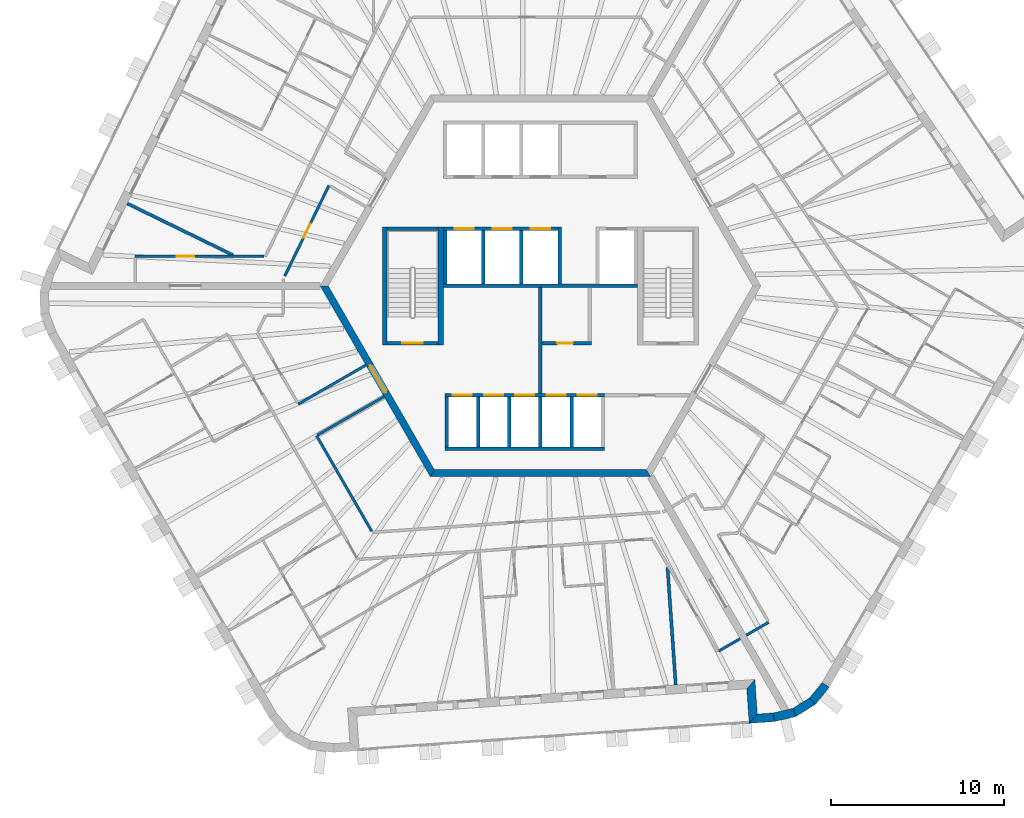
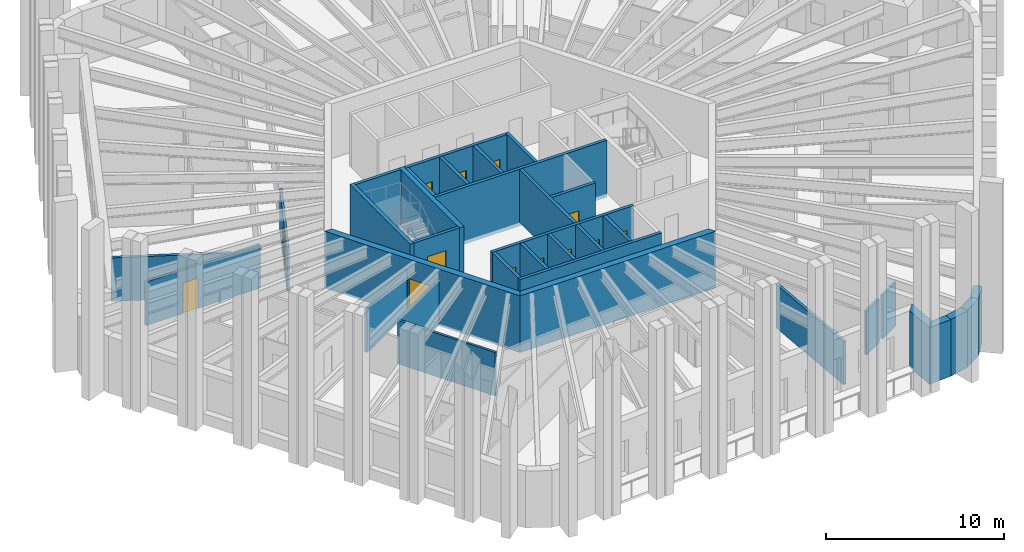
# One storey, part 5 of 13: 35 walls, 13 doors, 13 openings.
"""IFC4 building model written with IfcOpenShell, lengths in metres."""

from ifc_helpers import new_model, si_unit, direction, frame, frame_2d, origin, place, context, subcontext, project, spatial, polyline, rectangle, outline, extrude, material, layer, layer_set, type_object, element, fill, save


model = new_model("IFC4")

# Units and contexts
model_context = context("Model", 3, precision=1e-05, world=origin(), true_north=direction((0.0, 1.0)))
body_context = subcontext(model_context, "Body", "Model", "MODEL_VIEW")
ifc_project = project(units=[si_unit("LENGTHUNIT", "METRE"), si_unit("AREAUNIT", "SQUARE_METRE"), si_unit("VOLUMEUNIT", "CUBIC_METRE"), si_unit("PLANEANGLEUNIT", "RADIAN"), si_unit("MASSUNIT", "GRAM", prefix="KILO")], contexts=[model_context])

# Site, building, storey
site_placement = place(None, origin())
site = spatial("IfcSite", under=ifc_project, at=site_placement, CompositionType="ELEMENT")
building_placement = place(site_placement, origin())
building = spatial("IfcBuilding", under=site, at=building_placement, Name="Tarnside Tower", CompositionType="ELEMENT")
storey_placement = place(building_placement, frame((0.0, 0.0, 267.89990234375)))
storey = spatial("IfcBuildingStorey", under=building, at=storey_placement, Name="L64", CompositionType="ELEMENT", Elevation=267.89990234375)

# Wall, opening, door
ifc_material_1 = material(Name="Concrete C40/50", Category="concrete")
ifc_layer_1 = layer(ifc_material_1, 0.199951171875)
ifc_layer_set_1 = layer_set([ifc_layer_1], Name="Core room partition 200 C40/50")
wall_type_1 = type_object("IfcWallType", Name="Core room partition 200 C40/50", PredefinedType="PARTITIONING", material=ifc_layer_set_1)
wall_1_placement = place(storey_placement, frame((0.10009765625, -3.300048828125, 0.0), z_axis=(0.0, 0.0, 1.0), x_axis=(1.0, 0.0, 0.0)))
wall_1 = element("IfcWall", 1, at=wall_1_placement, inside=storey, type_object=wall_type_1, Name="L64 core partition R3S1", PredefinedType="PARTITIONING", context=body_context, shape_type="SweptSolid", body=[
    extrude(rectangle(XDim=2.849853515625, YDim=0.199951171875, at=frame_2d((1.4248046875, 0.0))), origin(), (0.0, 0.0, 1.0), 3.650146484375),
])
opening_1_placement = place(wall_1_placement, frame((0.875, 0.0, 0.0)))
opening_1 = element("IfcOpeningElement", 2, at=opening_1_placement, cuts=wall_1, Name="Opening CD-room", PredefinedType="OPENING", context=body_context, shape_type="SweptSolid", body=[
    extrude(rectangle(XDim=0.89990234375, YDim=2.10009765625, at=frame_2d((0.449951171875, 1.050048828125))), frame((0.0, 0.10986328125, 0.0), z_axis=(0.0, -1.0, 0.0), x_axis=(1.0, 0.0, 0.0)), (0.0, 0.0, 1.0), 0.219970703125),
])
ifc_material_2 = material(Name="Steel fire door", Category="steel")
door_type_1 = type_object("IfcDoorType", Name="Room door FD60 900x2100", OperationType="NOTDEFINED", PredefinedType="DOOR", material=ifc_material_2)
door_1_placement = place(opening_1_placement, origin())
door_1 = element("IfcDoor", 3, at=door_1_placement, inside=storey, type_object=door_type_1, Name="L64 core room door SR1", OperationType="SINGLE_SWING_LEFT", OverallHeight=2.10009765625, OverallWidth=0.89990234375, PredefinedType="DOOR", context=body_context, shape_type="SweptSolid", body=[
    extrude(rectangle(XDim=0.89990234375, YDim=2.10009765625, at=frame_2d((0.449951171875, 1.050048828125))), frame((0.0, 0.02490234375, 0.0), z_axis=(0.0, -1.0, 0.0), x_axis=(1.0, 0.0, 0.0)), (0.0, 0.0, 1.0), 0.050048828125),
])
fill(opening_1, door_1)

# Wall
wall_2_placement = place(storey_placement, frame((0.0, -6.199951171875, 0.0), z_axis=(0.0, 0.0, 1.0), x_axis=(0.0, 1.0, 0.0)))
element("IfcWall", 4, at=wall_2_placement, inside=storey, type_object=wall_type_1, Name="L64 core partition X0", PredefinedType="PARTITIONING", context=body_context, shape_type="SweptSolid", body=[
    extrude(rectangle(XDim=6.099853515625, YDim=0.199951171875, at=frame_2d((3.0498046875, 0.0))), origin(), (0.0, 0.0, 1.0), 3.650146484375),
])

# Wall, opening, door
ifc_material_3 = material(Name="Concrete C60/75", Category="concrete")
ifc_layer_2 = layer(ifc_material_3, 0.39990234375)
ifc_layer_set_2 = layer_set([ifc_layer_2], Name="Core wall Z3 400 C60/75")
wall_type_2 = type_object("IfcWallType", Name="Core wall Z3 400 C60/75", PredefinedType="SHEAR", material=ifc_layer_set_2)
wall_3_placement = place(storey_placement, frame((-12.470703125, 0.0, -0.14990234375), z_axis=(0.0, 0.0, 1.0), x_axis=(0.499996419489, -0.866027470984, 0.0)))
wall_3 = element("IfcWall", 5, at=wall_3_placement, inside=storey, type_object=wall_type_2, Name="L64 core wall face 3", PredefinedType="SHEAR", context=body_context, shape_type="SweptSolid", body=[
    extrude(outline(polyline([(-0.115478515625, -0.199951171875), (12.586181640625, -0.199951171875), (12.355224609375, 0.199951171875), (0.115478515625, 0.199951171875), (-0.115478515625, -0.199951171875)])), origin(), (0.0, 0.0, 1.0), 3.89990234375),
])
opening_2_placement = place(wall_3_placement, frame((5.306396484375, 0.0, 0.14990234375)))
opening_2 = element("IfcOpeningElement", 6, at=opening_2_placement, cuts=wall_3, Name="Opening CD-FFL", PredefinedType="OPENING", context=body_context, shape_type="SweptSolid", body=[
    extrude(rectangle(XDim=1.800048828125, YDim=2.39990234375, at=frame_2d((0.89990234375, 1.199951171875))), frame((0.0, 0.2099609375, 0.0), z_axis=(0.0, -1.0, 0.0), x_axis=(1.0, 0.0, 0.0)), (0.0, 0.0, 1.0), 0.419921875),
])
door_type_2 = type_object("IfcDoorType", Name="Firefighting lobby double door FD60S 1800x2400", OperationType="NOTDEFINED", PredefinedType="DOOR", material=ifc_material_2)
door_2_placement = place(opening_2_placement, origin())
door_2 = element("IfcDoor", 7, at=door_2_placement, inside=storey, type_object=door_type_2, Name="L64 core door P3", OperationType="DOUBLE_DOOR_SINGLE_SWING", OverallHeight=2.39990234375, OverallWidth=1.800048828125, PredefinedType="DOOR", context=body_context, shape_type="SweptSolid", body=[
    extrude(rectangle(XDim=1.800048828125, YDim=2.39990234375, at=frame_2d((0.89990234375, 1.199951171875))), frame((0.0, 0.02490234375, 0.0), z_axis=(0.0, -1.0, 0.0), x_axis=(1.0, 0.0, 0.0)), (0.0, 0.0, 1.0), 0.050048828125),
])
fill(opening_2, door_2)

# Wall
wall_4_placement = place(storey_placement, frame((-6.2353515625, -10.800048828125, -0.14990234375), z_axis=(0.0, 0.0, 1.0), x_axis=(1.0, 0.0, 0.0)))
element("IfcWall", 8, at=wall_4_placement, inside=storey, type_object=wall_type_2, Name="L64 core wall face 4", PredefinedType="SHEAR", context=body_context, shape_type="SweptSolid", body=[
    extrude(outline(polyline([(-0.115478515625, -0.199951171875), (12.586181640625, -0.199951171875), (12.355224609375, 0.199951171875), (0.115478515625, 0.199951171875), (-0.115478515625, -0.199951171875)])), origin(), (0.0, 0.0, 1.0), 3.89990234375),
])

# Wall, opening, door
ifc_material_4 = material(Name="Gypsum board partition on steel studs", Category="steel")
ifc_layer_3 = layer(ifc_material_4, 0.14990234375)
ifc_layer_set_3 = layer_set([ifc_layer_3], Name="Corridor wall 150 EI 60")
wall_type_3 = type_object("IfcWallType", Name="Corridor wall 150 EI 60", PredefinedType="PARTITIONING", material=ifc_layer_set_3)
wall_5_placement = place(storey_placement, frame((-15.943359375, 1.699951171875, 0.0), z_axis=(0.0, 0.0, 1.0), x_axis=(-1.0, 0.0, 0.0)))
wall_5 = element("IfcWall", 9, at=wall_5_placement, inside=storey, type_object=wall_type_3, Name="Corridor wall 21015", PredefinedType="PARTITIONING", context=body_context, shape_type="SweptSolid", body=[
    extrude(rectangle(XDim=7.4306640625, YDim=0.14990234375, at=frame_2d((3.71533203125, 0.0))), origin(), (0.0, 0.0, 1.0), 2.98779296875),
])
opening_3_placement = place(wall_5_placement, frame((4.02978515625, 0.0, 0.0)))
opening_3 = element("IfcOpeningElement", 10, at=opening_3_placement, cuts=wall_5, Name="Opening D-E1", PredefinedType="OPENING", context=body_context, shape_type="SweptSolid", body=[
    extrude(rectangle(XDim=1.0, YDim=2.10009765625, at=frame_2d((0.5, 1.050048828125))), frame((0.0, 0.0849609375, 0.0), z_axis=(0.0, -1.0, 0.0), x_axis=(1.0, 0.0, 0.0)), (0.0, 0.0, 1.0), 0.169921875),
])
ifc_material_5 = material(Name="Timber door leaf", Category="wood")
door_type_3 = type_object("IfcDoorType", Name="Unit entrance door 1000 FD30S", OperationType="NOTDEFINED", PredefinedType="DOOR", material=ifc_material_5)
door_3_placement = place(opening_3_placement, origin())
door_3 = element("IfcDoor", 11, at=door_3_placement, inside=storey, type_object=door_type_3, Name="Unit door 21025", OperationType="SINGLE_SWING_LEFT", OverallHeight=2.10009765625, OverallWidth=1.0, PredefinedType="DOOR", context=body_context, shape_type="SweptSolid", body=[
    extrude(rectangle(XDim=1.0, YDim=2.10009765625, at=frame_2d((0.5, 1.050048828125))), frame((0.0, 0.02490234375, 0.0), z_axis=(0.0, -1.0, 0.0), x_axis=(1.0, 0.0, 0.0)), (0.0, 0.0, 1.0), 0.050048828125),
])
fill(opening_3, door_3)

wall_6_placement = place(storey_placement, frame((-14.7451171875, 0.563720703125, 0.0), z_axis=(0.0, 0.0, 1.0), x_axis=(0.438348416625, 0.898805132185, 0.0)))
wall_6 = element("IfcWall", 12, at=wall_6_placement, inside=storey, type_object=wall_type_3, Name="Corridor wall 21027", PredefinedType="PARTITIONING", context=body_context, shape_type="SweptSolid", body=[
    extrude(rectangle(XDim=5.819580078125, YDim=0.14990234375, at=frame_2d((2.90966796875, 0.0))), origin(), (0.0, 0.0, 1.0), 2.98779296875),
])
opening_4_placement = place(wall_6_placement, frame((2.459716796875, 0.0, 0.0)))
opening_4 = element("IfcOpeningElement", 13, at=opening_4_placement, cuts=wall_6, Name="Opening D-S1", PredefinedType="OPENING", context=body_context, shape_type="SweptSolid", body=[
    extrude(rectangle(XDim=0.89990234375, YDim=2.10009765625, at=frame_2d((0.449951171875, 1.050048828125))), frame((0.0, 0.0849609375, 0.0), z_axis=(0.0, -1.0, 0.0), x_axis=(1.0, 0.0, 0.0)), (0.0, 0.0, 1.0), 0.169921875),
])
door_type_4 = type_object("IfcDoorType", Name="Service room door 900 FD30S", OperationType="NOTDEFINED", PredefinedType="DOOR", material=ifc_material_5)
door_4_placement = place(opening_4_placement, origin())
door_4 = element("IfcDoor", 14, at=door_4_placement, inside=storey, type_object=door_type_4, Name="Service door 21070", OperationType="SINGLE_SWING_RIGHT", OverallHeight=2.10009765625, OverallWidth=0.89990234375, PredefinedType="DOOR", context=body_context, shape_type="SweptSolid", body=[
    extrude(rectangle(XDim=0.89990234375, YDim=2.10009765625, at=frame_2d((0.449951171875, 1.050048828125))), frame((0.0, 0.02490234375, 0.0), z_axis=(0.0, -1.0, 0.0), x_axis=(1.0, 0.0, 0.0)), (0.0, 0.0, 1.0), 0.050048828125),
])
fill(opening_4, door_4)

# Walls
wall_7_placement = place(storey_placement, frame((10.27978515625, -21.054931640625, 0.0), z_axis=(0.0, 0.0, 1.0), x_axis=(0.866020080793, 0.500009219579, 0.0)))
element("IfcWall", 15, at=wall_7_placement, inside=storey, type_object=wall_type_3, Name="Corridor wall 21046", PredefinedType="PARTITIONING", context=body_context, shape_type="SweptSolid", body=[
    extrude(rectangle(XDim=1.4248046875, YDim=0.14990234375, at=frame_2d((0.71240234375, 0.0))), origin(), (0.0, 0.0, 1.0), 2.98779296875),
])
wall_8_placement = place(storey_placement, frame((-10.065673828125, -4.565673828125, 0.0), z_axis=(0.0, 0.0, 1.0), x_axis=(-0.866031096941, -0.499990139034, 0.0)))
element("IfcWall", 16, at=wall_8_placement, inside=storey, type_object=wall_type_3, Name="Corridor wall 21047", PredefinedType="PARTITIONING", context=body_context, shape_type="SweptSolid", body=[
    extrude(rectangle(XDim=4.5, YDim=0.14990234375, at=frame_2d((2.25, 0.0))), origin(), (0.0, 0.0, 1.0), 2.98779296875),
])
wall_9_placement = place(storey_placement, frame((-9.73486328125, -14.138427734375, 0.0), z_axis=(0.0, 0.0, 1.0), x_axis=(-0.500018385592, 0.866014788598, 0.0)))
element("IfcWall", 17, at=wall_9_placement, inside=storey, type_object=wall_type_3, Name="Corridor wall 21054", PredefinedType="PARTITIONING", context=body_context, shape_type="SweptSolid", body=[
    extrude(rectangle(XDim=6.355712890625, YDim=0.14990234375, at=frame_2d((3.177734375, 0.0))), origin(), (0.0, 0.0, 1.0), 2.98779296875),
])
wall_10_placement = place(storey_placement, frame((-12.847900390625, -8.596923828125, 0.0), z_axis=(0.0, 0.0, 1.0), x_axis=(0.866017452598, 0.500013771606, 0.0)))
element("IfcWall", 18, at=wall_10_placement, inside=storey, type_object=wall_type_3, Name="Corridor wall 21055", PredefinedType="PARTITIONING", context=body_context, shape_type="SweptSolid", body=[
    extrude(rectangle(XDim=4.42529296875, YDim=0.14990234375, at=frame_2d((2.212646484375, 0.0))), origin(), (0.0, 0.0, 1.0), 2.98779296875),
])
wall_11_placement = place(storey_placement, frame((11.860107421875, -20.142333984375, 0.0), z_axis=(0.0, 0.0, 1.0), x_axis=(0.866031096941, 0.499990139034, 0.0)))
element("IfcWall", 19, at=wall_11_placement, inside=storey, type_object=wall_type_3, Name="Corridor wall 21056", PredefinedType="PARTITIONING", context=body_context, shape_type="SweptSolid", body=[
    extrude(rectangle(XDim=1.5, YDim=0.14990234375, at=frame_2d((0.75, 0.0))), origin(), (0.0, 0.0, 1.0), 2.98779296875),
])
ifc_layer_4 = layer(ifc_material_4, 0.179931640625)
ifc_layer_set_4 = layer_set([ifc_layer_4], Name="Demising wall 180 EI 60")
wall_type_4 = type_object("IfcWallType", Name="Demising wall 180 EI 60", PredefinedType="PARTITIONING", material=ifc_layer_set_4)
for number, where, z_axis, x_axis, name in (
    (20, (-23.82861328125, 4.75146484375, 0.0), (0.0, 0.0, 1.0), (0.898785032636, -0.438389627056, 0.0), "Demising wall 21109"),
    (21, (7.799560546875, -23.011962890625, 0.0), (0.0, 0.0, 1.0), (-0.069757205717, 0.997563999075, 0.0), "Demising wall 21143"),
):
    element("IfcWall", number, at=place(storey_placement, frame(where, z_axis=z_axis, x_axis=x_axis)), inside=storey, type_object=wall_type_4, Name=name, PredefinedType="PARTITIONING", context=body_context, shape_type="SweptSolid", body=[
        extrude(rectangle(XDim=6.789794921875, YDim=0.179931640625, at=frame_2d((3.39501953125, 0.0))), origin(), (0.0, 0.0, 1.0), 2.98779296875),
    ])

# Wall, openings, doors
ifc_layer_5 = layer(ifc_material_1, 0.199951171875)
ifc_layer_set_5 = layer_set([ifc_layer_5], Name="Lift shaft wall 200 C40/50")
wall_type_5 = type_object("IfcWallType", Name="Lift shaft wall 200 C40/50", PredefinedType="SHEAR", material=ifc_layer_set_5)
wall_12_placement = place(storey_placement, frame((-5.60009765625, 3.300048828125, -0.25), z_axis=(0.0, 0.0, 1.0), x_axis=(1.0, 0.0, 0.0)))
wall_12 = element("IfcWall", 22, at=wall_12_placement, inside=storey, type_object=wall_type_5, Name="L64 lift shaft front wall R2", PredefinedType="SHEAR", context=body_context, shape_type="SweptSolid", body=[
    extrude(rectangle(XDim=6.60009765625, YDim=0.199951171875, at=frame_2d((3.300048828125, 0.0))), origin(), (0.0, 0.0, 1.0), 3.900146484375),
])
opening_5_placement = place(wall_12_placement, frame((0.64990234375, 0.0, 0.25)))
opening_5 = element("IfcOpeningElement", 23, at=opening_5_placement, cuts=wall_12, Name="Opening LD", PredefinedType="OPENING", context=body_context, shape_type="SweptSolid", body=[
    extrude(rectangle(XDim=1.10009765625, YDim=2.10009765625, at=frame_2d((0.550048828125, 1.050048828125))), frame((0.0, 0.10986328125, 0.0), z_axis=(0.0, -1.0, 0.0), x_axis=(1.0, 0.0, 0.0)), (0.0, 0.0, 1.0), 0.219970703125),
])
opening_6_placement = place(wall_12_placement, frame((2.85009765625, 0.0, 0.25)))
opening_6 = element("IfcOpeningElement", 24, at=opening_6_placement, cuts=wall_12, Name="Opening LD", PredefinedType="OPENING", context=body_context, shape_type="SweptSolid", body=[
    extrude(rectangle(XDim=1.10009765625, YDim=2.10009765625, at=frame_2d((0.550048828125, 1.050048828125))), frame((0.0, 0.10986328125, 0.0), z_axis=(0.0, -1.0, 0.0), x_axis=(1.0, 0.0, 0.0)), (0.0, 0.0, 1.0), 0.219970703125),
])
opening_7_placement = place(wall_12_placement, frame((5.050048828125, 0.0, 0.25)))
opening_7 = element("IfcOpeningElement", 25, at=opening_7_placement, cuts=wall_12, Name="Opening LD", PredefinedType="OPENING", context=body_context, shape_type="SweptSolid", body=[
    extrude(rectangle(XDim=1.10009765625, YDim=2.10009765625, at=frame_2d((0.550048828125, 1.050048828125))), frame((0.0, 0.10986328125, 0.0), z_axis=(0.0, -1.0, 0.0), x_axis=(1.0, 0.0, 0.0)), (0.0, 0.0, 1.0), 0.219970703125),
])
ifc_material_6 = material(Name="Stainless steel", Category="steel")
door_type_5 = type_object("IfcDoorType", Name="Lift landing door 1100x2100", OperationType="NOTDEFINED", PredefinedType="DOOR", material=ifc_material_6)
door_5_placement = place(opening_5_placement, origin())
door_5 = element("IfcDoor", 26, at=door_5_placement, inside=storey, type_object=door_type_5, Name="High-rise lift 4 landing door L64", OperationType="SLIDING_TO_LEFT", OverallHeight=2.10009765625, OverallWidth=1.10009765625, PredefinedType="DOOR", context=body_context, shape_type="SweptSolid", body=[
    extrude(rectangle(XDim=1.10009765625, YDim=2.10009765625, at=frame_2d((0.550048828125, 1.050048828125))), frame((0.0, 0.02490234375, 0.0), z_axis=(0.0, -1.0, 0.0), x_axis=(1.0, 0.0, 0.0)), (0.0, 0.0, 1.0), 0.050048828125),
])
fill(opening_5, door_5)
door_6_placement = place(opening_6_placement, origin())
door_6 = element("IfcDoor", 27, at=door_6_placement, inside=storey, type_object=door_type_5, Name="High-rise lift 5 landing door L64", OperationType="SLIDING_TO_LEFT", OverallHeight=2.10009765625, OverallWidth=1.10009765625, PredefinedType="DOOR", context=body_context, shape_type="SweptSolid", body=[
    extrude(rectangle(XDim=1.10009765625, YDim=2.10009765625, at=frame_2d((0.550048828125, 1.050048828125))), frame((0.0, 0.02490234375, 0.0), z_axis=(0.0, -1.0, 0.0), x_axis=(1.0, 0.0, 0.0)), (0.0, 0.0, 1.0), 0.050048828125),
])
fill(opening_6, door_6)
door_7_placement = place(opening_7_placement, origin())
door_7 = element("IfcDoor", 28, at=door_7_placement, inside=storey, type_object=door_type_5, Name="High-rise lift 6 landing door L64", OperationType="SLIDING_TO_LEFT", OverallHeight=2.10009765625, OverallWidth=1.10009765625, PredefinedType="DOOR", context=body_context, shape_type="SweptSolid", body=[
    extrude(rectangle(XDim=1.10009765625, YDim=2.10009765625, at=frame_2d((0.550048828125, 1.050048828125))), frame((0.0, 0.02490234375, 0.0), z_axis=(0.0, -1.0, 0.0), x_axis=(1.0, 0.0, 0.0)), (0.0, 0.0, 1.0), 0.050048828125),
])
fill(opening_7, door_7)

# Walls
wall_13_placement = place(storey_placement, frame((-5.60009765625, 0.0, -0.25), z_axis=(0.0, 0.0, 1.0), x_axis=(1.0, 0.0, 0.0)))
element("IfcWall", 29, at=wall_13_placement, inside=storey, type_object=wall_type_5, Name="L64 lift shaft back wall R2", PredefinedType="SHEAR", context=body_context, shape_type="SweptSolid", body=[
    extrude(rectangle(XDim=11.2001953125, YDim=0.199951171875, at=frame_2d((5.60009765625, 0.0))), origin(), (0.0, 0.0, 1.0), 3.900146484375),
])
for number, where, z_axis, x_axis, name in (
    (30, (-5.5, 0.10009765625, -0.25), (0.0, 0.0, 1.0), (0.0, 1.0, 0.0), "L64 lift shaft partition R21"),
    (31, (-3.300048828125, 0.10009765625, -0.25), (0.0, 0.0, 1.0), (0.0, 1.0, 0.0), "L64 lift shaft partition R22"),
    (32, (-1.10009765625, 0.10009765625, -0.25), (0.0, 0.0, 1.0), (0.0, 1.0, 0.0), "L64 lift shaft partition R23"),
):
    element("IfcWall", number, at=place(storey_placement, frame(where, z_axis=z_axis, x_axis=x_axis)), inside=storey, type_object=wall_type_5, Name=name, PredefinedType="SHEAR", context=body_context, shape_type="SweptSolid", body=[
        extrude(rectangle(XDim=3.099853515625, YDim=0.199951171875, at=frame_2d((1.5498046875, 0.0))), origin(), (0.0, 0.0, 1.0), 3.900146484375),
    ])
wall_14_placement = place(storey_placement, frame((1.10009765625, 0.10009765625, -0.25), z_axis=(0.0, 0.0, 1.0), x_axis=(0.0, 1.0, 0.0)))
element("IfcWall", 33, at=wall_14_placement, inside=storey, type_object=wall_type_5, Name="L64 lift shaft partition R24", PredefinedType="SHEAR", context=body_context, shape_type="SweptSolid", body=[
    extrude(rectangle(XDim=3.2998046875, YDim=0.199951171875, at=frame_2d((1.64990234375, 0.0))), origin(), (0.0, 0.0, 1.0), 3.900146484375),
])

# Wall, openings, doors
wall_15_placement = place(storey_placement, frame((-5.5, -6.300048828125, -0.25), z_axis=(0.0, 0.0, 1.0), x_axis=(1.0, 0.0, 0.0)))
wall_15 = element("IfcWall", 34, at=wall_15_placement, inside=storey, type_object=wall_type_5, Name="L64 lift shaft front wall R4", PredefinedType="SHEAR", context=body_context, shape_type="SweptSolid", body=[
    extrude(rectangle(XDim=9.199951171875, YDim=0.199951171875, at=frame_2d((4.60009765625, 0.0))), origin(), (0.0, 0.0, 1.0), 3.900146484375),
])
opening_8_placement = place(wall_15_placement, frame((0.449951171875, 0.0, 0.25)))
opening_8 = element("IfcOpeningElement", 35, at=opening_8_placement, cuts=wall_15, Name="Opening LDF", PredefinedType="OPENING", context=body_context, shape_type="SweptSolid", body=[
    extrude(rectangle(XDim=1.10009765625, YDim=2.10009765625, at=frame_2d((0.550048828125, 1.050048828125))), frame((0.0, 0.10986328125, 0.0), z_axis=(0.0, -1.0, 0.0), x_axis=(1.0, 0.0, 0.0)), (0.0, 0.0, 1.0), 0.219970703125),
])
opening_9_placement = place(wall_15_placement, frame((2.25, 0.0, 0.25)))
opening_9 = element("IfcOpeningElement", 36, at=opening_9_placement, cuts=wall_15, Name="Opening LDF", PredefinedType="OPENING", context=body_context, shape_type="SweptSolid", body=[
    extrude(rectangle(XDim=1.10009765625, YDim=2.10009765625, at=frame_2d((0.550048828125, 1.050048828125))), frame((0.0, 0.10986328125, 0.0), z_axis=(0.0, -1.0, 0.0), x_axis=(1.0, 0.0, 0.0)), (0.0, 0.0, 1.0), 0.219970703125),
])
opening_10_placement = place(wall_15_placement, frame((4.050048828125, 0.0, 0.25)))
opening_10 = element("IfcOpeningElement", 37, at=opening_10_placement, cuts=wall_15, Name="Opening LDF", PredefinedType="OPENING", context=body_context, shape_type="SweptSolid", body=[
    extrude(rectangle(XDim=1.10009765625, YDim=2.10009765625, at=frame_2d((0.550048828125, 1.050048828125))), frame((0.0, 0.10986328125, 0.0), z_axis=(0.0, -1.0, 0.0), x_axis=(1.0, 0.0, 0.0)), (0.0, 0.0, 1.0), 0.219970703125),
])
opening_11_placement = place(wall_15_placement, frame((5.85009765625, 0.0, 0.25)))
opening_11 = element("IfcOpeningElement", 38, at=opening_11_placement, cuts=wall_15, Name="Opening LDF", PredefinedType="OPENING", context=body_context, shape_type="SweptSolid", body=[
    extrude(rectangle(XDim=1.10009765625, YDim=2.10009765625, at=frame_2d((0.550048828125, 1.050048828125))), frame((0.0, 0.10986328125, 0.0), z_axis=(0.0, -1.0, 0.0), x_axis=(1.0, 0.0, 0.0)), (0.0, 0.0, 1.0), 0.219970703125),
])
opening_12_placement = place(wall_15_placement, frame((7.64990234375, 0.0, 0.25)))
opening_12 = element("IfcOpeningElement", 39, at=opening_12_placement, cuts=wall_15, Name="Opening LDF", PredefinedType="OPENING", context=body_context, shape_type="SweptSolid", body=[
    extrude(rectangle(XDim=1.10009765625, YDim=2.10009765625, at=frame_2d((0.550048828125, 1.050048828125))), frame((0.0, 0.10986328125, 0.0), z_axis=(0.0, -1.0, 0.0), x_axis=(1.0, 0.0, 0.0)), (0.0, 0.0, 1.0), 0.219970703125),
])
door_type_6 = type_object("IfcDoorType", Name="Lift landing door 1100x2100 EI 120", OperationType="NOTDEFINED", PredefinedType="DOOR", material=ifc_material_6)
door_8_placement = place(opening_8_placement, origin())
door_8 = element("IfcDoor", 40, at=door_8_placement, inside=storey, type_object=door_type_6, Name="Firefighting lift 1 landing door L64", OperationType="SLIDING_TO_LEFT", OverallHeight=2.10009765625, OverallWidth=1.10009765625, PredefinedType="DOOR", context=body_context, shape_type="SweptSolid", body=[
    extrude(rectangle(XDim=1.10009765625, YDim=2.10009765625, at=frame_2d((0.550048828125, 1.050048828125))), frame((0.0, 0.02490234375, 0.0), z_axis=(0.0, -1.0, 0.0), x_axis=(1.0, 0.0, 0.0)), (0.0, 0.0, 1.0), 0.050048828125),
])
fill(opening_8, door_8)
door_9_placement = place(opening_9_placement, origin())
door_9 = element("IfcDoor", 41, at=door_9_placement, inside=storey, type_object=door_type_6, Name="Firefighting lift 2 landing door L64", OperationType="SLIDING_TO_LEFT", OverallHeight=2.10009765625, OverallWidth=1.10009765625, PredefinedType="DOOR", context=body_context, shape_type="SweptSolid", body=[
    extrude(rectangle(XDim=1.10009765625, YDim=2.10009765625, at=frame_2d((0.550048828125, 1.050048828125))), frame((0.0, 0.02490234375, 0.0), z_axis=(0.0, -1.0, 0.0), x_axis=(1.0, 0.0, 0.0)), (0.0, 0.0, 1.0), 0.050048828125),
])
fill(opening_9, door_9)
door_10_placement = place(opening_10_placement, origin())
door_10 = element("IfcDoor", 42, at=door_10_placement, inside=storey, type_object=door_type_6, Name="Firefighting lift 3 landing door L64", OperationType="SLIDING_TO_LEFT", OverallHeight=2.10009765625, OverallWidth=1.10009765625, PredefinedType="DOOR", context=body_context, shape_type="SweptSolid", body=[
    extrude(rectangle(XDim=1.10009765625, YDim=2.10009765625, at=frame_2d((0.550048828125, 1.050048828125))), frame((0.0, 0.02490234375, 0.0), z_axis=(0.0, -1.0, 0.0), x_axis=(1.0, 0.0, 0.0)), (0.0, 0.0, 1.0), 0.050048828125),
])
fill(opening_10, door_10)
door_11_placement = place(opening_11_placement, origin())
door_11 = element("IfcDoor", 43, at=door_11_placement, inside=storey, type_object=door_type_6, Name="Firefighting lift 4 landing door L64", OperationType="SLIDING_TO_LEFT", OverallHeight=2.10009765625, OverallWidth=1.10009765625, PredefinedType="DOOR", context=body_context, shape_type="SweptSolid", body=[
    extrude(rectangle(XDim=1.10009765625, YDim=2.10009765625, at=frame_2d((0.550048828125, 1.050048828125))), frame((0.0, 0.02490234375, 0.0), z_axis=(0.0, -1.0, 0.0), x_axis=(1.0, 0.0, 0.0)), (0.0, 0.0, 1.0), 0.050048828125),
])
fill(opening_11, door_11)
door_12_placement = place(opening_12_placement, origin())
door_12 = element("IfcDoor", 44, at=door_12_placement, inside=storey, type_object=door_type_6, Name="Firefighting lift 5 landing door L64", OperationType="SLIDING_TO_LEFT", OverallHeight=2.10009765625, OverallWidth=1.10009765625, PredefinedType="DOOR", context=body_context, shape_type="SweptSolid", body=[
    extrude(rectangle(XDim=1.10009765625, YDim=2.10009765625, at=frame_2d((0.550048828125, 1.050048828125))), frame((0.0, 0.02490234375, 0.0), z_axis=(0.0, -1.0, 0.0), x_axis=(1.0, 0.0, 0.0)), (0.0, 0.0, 1.0), 0.050048828125),
])
fill(opening_12, door_12)

# Walls
wall_16_placement = place(storey_placement, frame((-5.5, -9.39990234375, -0.25), z_axis=(0.0, 0.0, 1.0), x_axis=(1.0, 0.0, 0.0)))
element("IfcWall", 45, at=wall_16_placement, inside=storey, type_object=wall_type_5, Name="L64 lift shaft back wall R4", PredefinedType="SHEAR", context=body_context, shape_type="SweptSolid", body=[
    extrude(rectangle(XDim=9.199951171875, YDim=0.199951171875, at=frame_2d((4.60009765625, 0.0))), origin(), (0.0, 0.0, 1.0), 3.900146484375),
])
for number, where, z_axis, x_axis, name in (
    (46, (-5.39990234375, -9.300048828125, -0.25), (0.0, 0.0, 1.0), (0.0, 1.0, 0.0), "L64 lift shaft partition R41"),
    (47, (-3.60009765625, -9.300048828125, -0.25), (0.0, 0.0, 1.0), (0.0, 1.0, 0.0), "L64 lift shaft partition R42"),
    (48, (-1.800048828125, -9.300048828125, -0.25), (0.0, 0.0, 1.0), (0.0, 1.0, 0.0), "L64 lift shaft partition R43"),
    (49, (0.0, -9.300048828125, -0.25), (0.0, 0.0, 1.0), (0.0, 1.0, 0.0), "L64 lift shaft partition R44"),
    (50, (1.800048828125, -9.300048828125, -0.25), (0.0, 0.0, 1.0), (0.0, 1.0, 0.0), "L64 lift shaft partition R45"),
):
    element("IfcWall", number, at=place(storey_placement, frame(where, z_axis=z_axis, x_axis=x_axis)), inside=storey, type_object=wall_type_5, Name=name, PredefinedType="SHEAR", context=body_context, shape_type="SweptSolid", body=[
        extrude(rectangle(XDim=2.900146484375, YDim=0.199951171875, at=frame_2d((1.4501953125, 0.0))), origin(), (0.0, 0.0, 1.0), 3.900146484375),
    ])
wall_17_placement = place(storey_placement, frame((-8.85009765625, 3.300048828125, -0.25), z_axis=(0.0, 0.0, 1.0), x_axis=(1.0, 0.0, 0.0)))
element("IfcWall", 51, at=wall_17_placement, inside=storey, type_object=wall_type_5, Name="L64 stair 2 enclosure cap wall n", PredefinedType="SHEAR", context=body_context, shape_type="SweptSolid", body=[
    extrude(rectangle(XDim=2.9501953125, YDim=0.199951171875, at=frame_2d((1.47509765625, 0.0))), origin(), (0.0, 0.0, 1.0), 3.900146484375),
])

# Wall, opening, door
wall_18_placement = place(storey_placement, frame((-8.85009765625, -3.300048828125, -0.25), z_axis=(0.0, 0.0, 1.0), x_axis=(1.0, 0.0, 0.0)))
wall_18 = element("IfcWall", 52, at=wall_18_placement, inside=storey, type_object=wall_type_5, Name="L64 stair 2 enclosure cap wall s", PredefinedType="SHEAR", context=body_context, shape_type="SweptSolid", body=[
    extrude(rectangle(XDim=2.9501953125, YDim=0.199951171875, at=frame_2d((1.47509765625, 0.0))), origin(), (0.0, 0.0, 1.0), 3.900146484375),
])
opening_13_placement = place(wall_18_placement, frame((0.875, 0.0, 0.25)))
opening_13 = element("IfcOpeningElement", 53, at=opening_13_placement, cuts=wall_18, Name="Opening CD-STR", PredefinedType="OPENING", context=body_context, shape_type="SweptSolid", body=[
    extrude(rectangle(XDim=1.199951171875, YDim=2.39990234375, at=frame_2d((0.60009765625, 1.199951171875))), frame((0.0, 0.10986328125, 0.0), z_axis=(0.0, -1.0, 0.0), x_axis=(1.0, 0.0, 0.0)), (0.0, 0.0, 1.0), 0.219970703125),
])
door_type_7 = type_object("IfcDoorType", Name="Stair door FD60S 1200x2400", OperationType="NOTDEFINED", PredefinedType="DOOR", material=ifc_material_2)
door_13_placement = place(opening_13_placement, origin())
door_13 = element("IfcDoor", 54, at=door_13_placement, inside=storey, type_object=door_type_7, Name="L64 stair 2 door", OperationType="SINGLE_SWING_LEFT", OverallHeight=2.39990234375, OverallWidth=1.199951171875, PredefinedType="DOOR", context=body_context, shape_type="SweptSolid", body=[
    extrude(rectangle(XDim=1.199951171875, YDim=2.39990234375, at=frame_2d((0.60009765625, 1.199951171875))), frame((0.0, 0.02490234375, 0.0), z_axis=(0.0, -1.0, 0.0), x_axis=(1.0, 0.0, 0.0)), (0.0, 0.0, 1.0), 0.050048828125),
])
fill(opening_13, door_13)

# Walls
ifc_material_7 = material(Name="Dark zinc cladding")
ifc_layer_6 = layer(ifc_material_7, 0.10205078125)
ifc_material_8 = material(Name="Concrete C60/75 precast", Category="concrete")
ifc_layer_7 = layer(ifc_material_8, 0.298095703125)
ifc_material_9 = material(Name="Mineral wool insulation")
ifc_layer_8 = layer(ifc_material_9, 0.10009765625)
ifc_layer_set_6 = layer_set([ifc_layer_6, ifc_layer_7, ifc_layer_8], Name="Loggia wall 500 zinc faced")
wall_type_6 = type_object("IfcWallType", Name="Loggia wall 500 zinc faced", PredefinedType="SOLIDWALL", material=ifc_layer_set_6)
wall_19_placement = place(storey_placement, frame((12.128662109375, -22.9599609375, -0.14990234375), z_axis=(0.0, 0.0, 1.0), x_axis=(0.069824268692, -0.99755930726, 0.0)))
element("IfcWall", 55, at=wall_19_placement, inside=storey, type_object=wall_type_6, Name="Tube wall L64 F4 return 19", PredefinedType="SOLIDWALL", context=body_context, shape_type="SweptSolid", body=[
    extrude(outline(polyline([(0.25, -0.25), (2.25, -0.25), (1.75, 0.25), (-0.25, 0.25), (0.25, -0.25)])), origin(), (0.0, 0.0, 1.0), 3.89990234375),
])
wall_20_placement = place(storey_placement, frame((12.268310546875, -24.955078125, -0.14990234375), z_axis=(0.0, 0.0, 1.0), x_axis=(0.997561942506, 0.06978660948, 0.0)))
element("IfcWall", 56, at=wall_20_placement, inside=storey, type_object=wall_type_6, Name="Tube wall L64 F4 stub 20", PredefinedType="SOLIDWALL", context=body_context, shape_type="SweptSolid", body=[
    extrude(outline(polyline([(-0.25, -0.25), (1.220458984375, -0.25), (1.179443359375, 0.25), (0.25, 0.25), (-0.25, -0.25)])), origin(), (0.0, 0.0, 1.0), 3.89990234375),
])
ifc_layer_9 = layer(ifc_material_1, 0.25)
ifc_layer_set_7 = layer_set([ifc_layer_9], Name="Stair enclosure wall 250 C40/50")
wall_type_7 = type_object("IfcWallType", Name="Stair enclosure wall 250 C40/50", PredefinedType="SHEAR", material=ifc_layer_set_7)
wall_21_placement = place(storey_placement, frame((-8.97509765625, -3.39990234375, -0.25), z_axis=(0.0, 0.0, 1.0), x_axis=(0.0, 1.0, 0.0)))
element("IfcWall", 57, at=wall_21_placement, inside=storey, type_object=wall_type_7, Name="L64 stair 2 enclosure wall outer", PredefinedType="SHEAR", context=body_context, shape_type="SweptSolid", body=[
    extrude(rectangle(XDim=6.7998046875, YDim=0.25, at=frame_2d((3.39990234375, 0.0))), origin(), (0.0, 0.0, 1.0), 3.900146484375),
])
ifc_layer_10 = layer(ifc_material_1, 0.300048828125)
ifc_layer_set_8 = layer_set([ifc_layer_10], Name="Stair enclosure wall 300 C40/50")
wall_type_8 = type_object("IfcWallType", Name="Stair enclosure wall 300 C40/50", PredefinedType="SHEAR", material=ifc_layer_set_8)
wall_22_placement = place(storey_placement, frame((-5.75, -3.39990234375, -0.25), z_axis=(0.0, 0.0, 1.0), x_axis=(0.0, 1.0, 0.0)))
element("IfcWall", 58, at=wall_22_placement, inside=storey, type_object=wall_type_8, Name="L64 stair 2 enclosure wall inner", PredefinedType="SHEAR", context=body_context, shape_type="SweptSolid", body=[
    extrude(rectangle(XDim=6.7998046875, YDim=0.300048828125, at=frame_2d((3.39990234375, 0.0))), origin(), (0.0, 0.0, 1.0), 3.900146484375),
])
ifc_material_10 = material(Name="Facing brick", Category="masonry")
ifc_layer_11 = layer(ifc_material_10, 0.10205078125)
ifc_layer_12 = layer(ifc_material_8, 0.298095703125)
ifc_layer_13 = layer(ifc_material_9, 0.10009765625)
ifc_layer_set_9 = layer_set([ifc_layer_11, ifc_layer_12, ifc_layer_13], Name="Tube wall 500 brick faced")
wall_type_9 = type_object("IfcWallType", Name="Tube wall 500 brick faced", PredefinedType="SOLIDWALL", material=ifc_layer_set_9)
wall_23_placement = place(storey_placement, frame((13.46533203125, -24.871337890625, -0.14990234375), z_axis=(0.0, 0.0, 1.0), x_axis=(0.973044740285, 0.230616420501, 0.0)))
element("IfcWall", 59, at=wall_23_placement, inside=storey, type_object=wall_type_9, Name="Tube wall L64 F4 chord 21", PredefinedType="SOLIDWALL", context=body_context, shape_type="SweptSolid", body=[
    extrude(outline(polyline([(-0.0205078125, -0.25), (1.25732421875, -0.25), (1.17529296875, 0.25), (0.0205078125, 0.25), (-0.0205078125, -0.25)])), origin(), (0.0, 0.0, 1.0), 3.89990234375),
])
wall_24_placement = place(storey_placement, frame((14.64892578125, -24.5908203125, -0.14990234375), z_axis=(0.0, 0.0, 1.0), x_axis=(0.848054682072, 0.529908724419, 0.0)))
element("IfcWall", 60, at=wall_24_placement, inside=storey, type_object=wall_type_9, Name="Tube wall L64 F4 chord 22", PredefinedType="SOLIDWALL", context=body_context, shape_type="SweptSolid", body=[
    extrude(outline(polyline([(-0.041015625, -0.25), (1.25732421875, -0.25), (1.17529296875, 0.25), (0.041015625, 0.25), (-0.041015625, -0.25)])), origin(), (0.0, 0.0, 1.0), 3.89990234375),
])
wall_25_placement = place(storey_placement, frame((15.680419921875, -23.9462890625, -0.14990234375), z_axis=(0.0, 0.0, 1.0), x_axis=(0.633805934167, 0.773492105852, 0.0)))
element("IfcWall", 61, at=wall_25_placement, inside=storey, type_object=wall_type_9, Name="Tube wall L64 F4 chord 23", PredefinedType="SOLIDWALL", context=body_context, shape_type="SweptSolid", body=[
    extrude(outline(polyline([(-0.041015625, -0.25), (1.237060546875, -0.25), (1.196044921875, 0.25), (0.041015625, 0.25), (-0.041015625, -0.25)])), origin(), (0.0, 0.0, 1.0), 3.89990234375),
])

save(model, "model.ifc")
